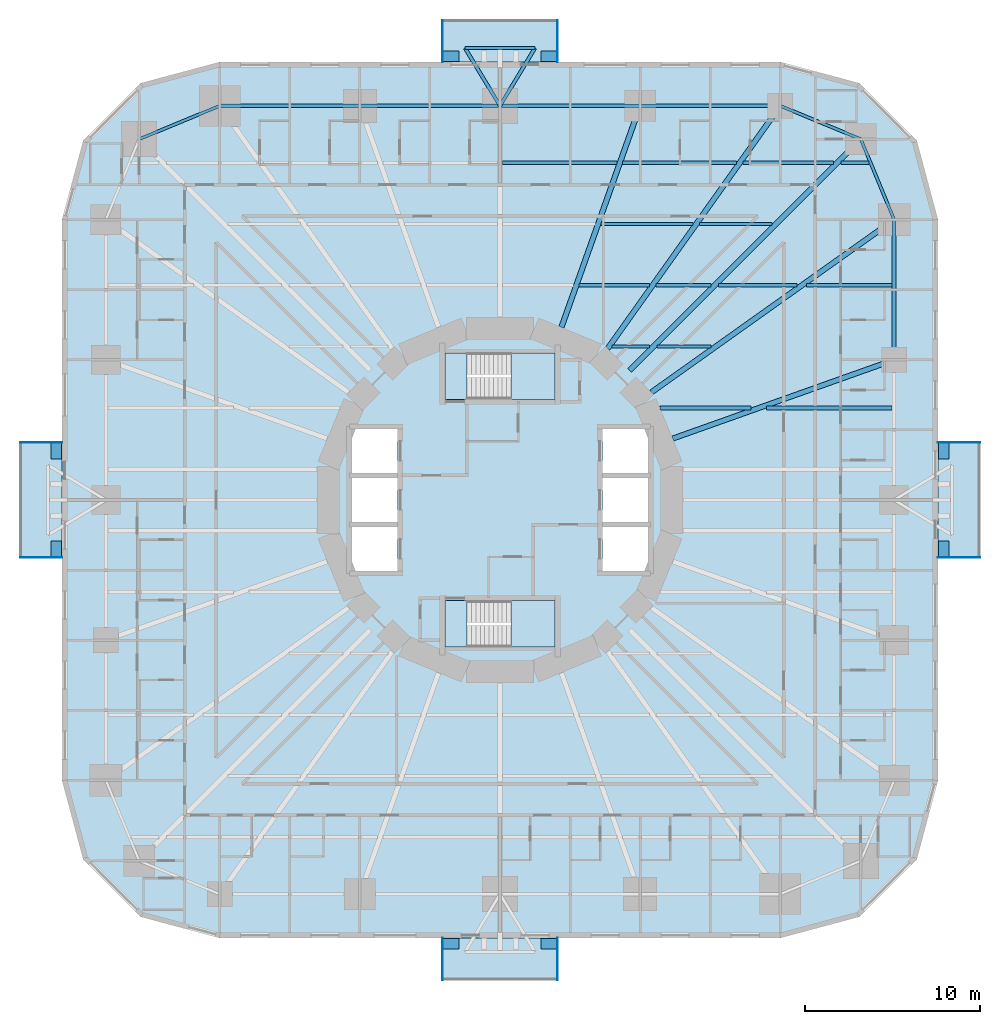
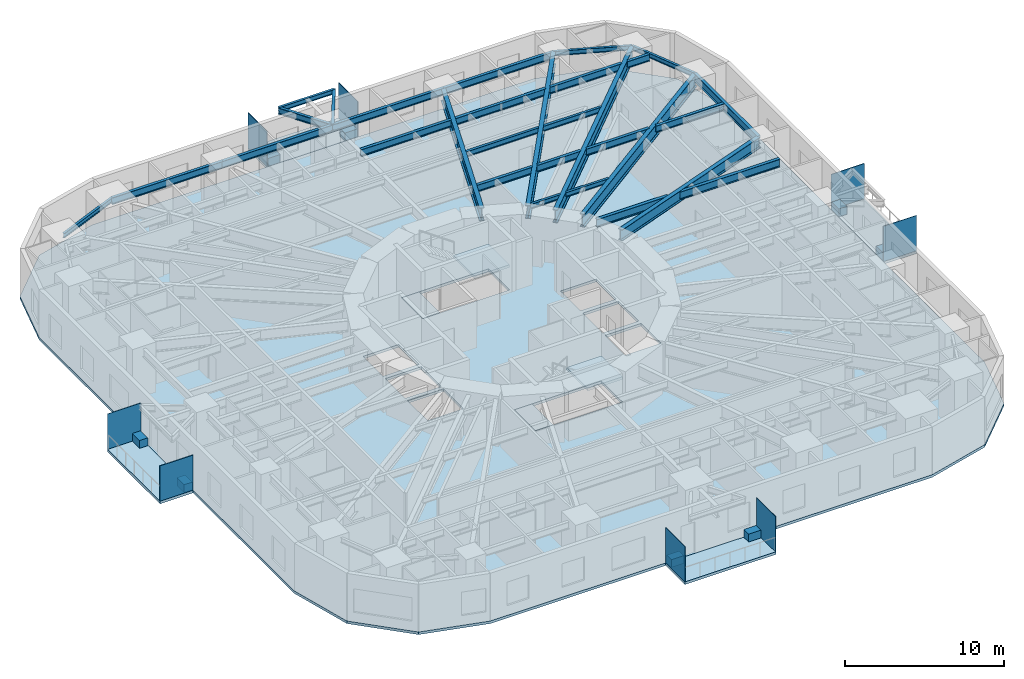
# One storey, part 3 of 14: 30 beams, 16 plates, 9 slabs, 2 elements without a shape of their own.
"""IFC4 building model written with IfcOpenShell, lengths in metres."""

from ifc_helpers import new_model, si_unit, direction, frame, origin, origin_2d, place, context, subcontext, project, spatial, polyline, rectangle, i_section, outline, extrude, material, layer, layer_set, material_profile, profile_set, type_object, element, aggregate, save


model = new_model("IFC4")

# Units and contexts
model_context = context("Model", 3, precision=1e-05, world=origin(), true_north=direction((0.0, 1.0)))
body_context = subcontext(model_context, "Body", "Model", "MODEL_VIEW")
ifc_project = project(units=[si_unit("LENGTHUNIT", "METRE"), si_unit("AREAUNIT", "SQUARE_METRE"), si_unit("VOLUMEUNIT", "CUBIC_METRE"), si_unit("PLANEANGLEUNIT", "RADIAN"), si_unit("MASSUNIT", "GRAM", prefix="KILO")], contexts=[model_context])

# Site, building, storey
site_placement = place(None, origin())
site = spatial("IfcSite", under=ifc_project, at=site_placement, CompositionType="ELEMENT")
building_placement = place(site_placement, origin())
building = spatial("IfcBuilding", under=site, at=building_placement, Name="Nakasero Lantern House", CompositionType="ELEMENT")
storey_placement = place(building_placement, frame((0.0, 0.0, 42.949951171875)))
storey = spatial("IfcBuildingStorey", under=building, at=storey_placement, Name="L10", CompositionType="ELEMENT", Elevation=42.949951171875)

# Beams
ifc_material_1 = material(Name="Steel S355", Category="steel")
ifc_material_profile_1 = material_profile(ifc_material_1, i_section(OverallWidth=0.199462890625, OverallDepth=0.491943359375, WebThickness=0.01806640625, FlangeThickness=0.031982421875, FilletRadius=0.01025390625, at=origin_2d()), Name="UB 457x191x161")
ifc_profile_set_1 = profile_set([ifc_material_profile_1], Name="Steel S355")
beam_type_1 = type_object("IfcBeamType", Name="Balcony splay beam UB 457x191x161", PredefinedType="BEAM", material=ifc_profile_set_1)
for number, where, z_axis, x_axis, name in (
    (1, (0.0, 22.5, 3.404052734375), (-0.518296107317, 0.855201230787, 0.0), (-0.855201230787, -0.518296107317, 0.0), "Balcony splay beam L11 B1-C09A"),
    (2, (0.0, 22.5, 3.404052734375), (0.518296107317, 0.855201230787, 0.0), (-0.855201230787, 0.518296107317, 0.0), "Balcony splay beam L11 B1-C09B"),
):
    element("IfcBeam", number, at=place(storey_placement, frame(where, z_axis=z_axis, x_axis=x_axis)), inside=storey, type_object=beam_type_1, Name=name, PredefinedType="BEAM", context=body_context, shape_type="SweptSolid", body=[
        extrude(i_section(OverallWidth=0.199462890625, OverallDepth=0.491943359375, WebThickness=0.01806640625, FlangeThickness=0.031982421875, FilletRadius=0.01025390625, at=origin_2d()), origin(), (0.0, 0.0, 1.0), 3.85888671875),
    ])
ifc_material_2 = material(Name="Steel S355", Category="steel")
ifc_material_profile_2 = material_profile(ifc_material_2, i_section(OverallWidth=0.17138671875, OverallDepth=0.35498046875, WebThickness=0.00732421875, FlangeThickness=0.011474609375, FilletRadius=0.01025390625, at=origin_2d()), Name="UB 356x171x51")
ifc_profile_set_2 = profile_set([ifc_material_profile_2], Name="Steel S355")
beam_type_2 = type_object("IfcBeamType", Name="Balcony tie beam UB 356x171x51", PredefinedType="BEAM", material=ifc_profile_set_2)
beam_1_placement = place(storey_placement, frame((-2.0, 25.800048828125, 3.47265625), z_axis=(1.0, 0.0, 0.0), x_axis=(0.0, 1.0, 0.0)))
element("IfcBeam", 3, at=beam_1_placement, inside=storey, type_object=beam_type_2, Name="Balcony tie beam L11 B1-C09", PredefinedType="BEAM", context=body_context, shape_type="SweptSolid", body=[
    extrude(i_section(OverallWidth=0.17138671875, OverallDepth=0.35498046875, WebThickness=0.00732421875, FlangeThickness=0.011474609375, FilletRadius=0.01025390625, at=origin_2d()), origin(), (0.0, 0.0, 1.0), 4.0),
])
ifc_material_3 = material(Name="Steel S355", Category="steel")
ifc_material_profile_3 = material_profile(ifc_material_3, i_section(OverallWidth=0.17138671875, OverallDepth=0.35498046875, WebThickness=0.00732421875, FlangeThickness=0.011474609375, FilletRadius=0.01025390625, at=origin_2d()), Name="UB 356x171x51")
ifc_profile_set_3 = profile_set([ifc_material_profile_3], Name="Steel S355")
beam_type_3 = type_object("IfcBeamType", Name="Infill beam UB 356x171x51", PredefinedType="JOIST", material=ifc_profile_set_3)
beam_2_placement = place(storey_placement, frame((6.40625, 8.75, 3.47265625), z_axis=(1.0, 0.0, 0.0), x_axis=(0.0, 1.0, 0.0)))
element("IfcBeam", 4, at=beam_2_placement, inside=storey, type_object=beam_type_3, Name="Infill beam L11 10.3", PredefinedType="JOIST", context=body_context, shape_type="SweptSolid", body=[
    extrude(i_section(OverallWidth=0.17138671875, OverallDepth=0.35498046875, WebThickness=0.00732421875, FlangeThickness=0.011474609375, FilletRadius=0.01025390625, at=origin_2d()), origin(), (0.0, 0.0, 1.0), 2.131591796875),
])
beam_3_placement = place(storey_placement, frame((8.962158203125, 8.75, 3.47265625), z_axis=(1.0, 0.0, 0.0), x_axis=(0.0, 1.0, 0.0)))
element("IfcBeam", 5, at=beam_3_placement, inside=storey, type_object=beam_type_3, Name="Infill beam L11 10.4", PredefinedType="JOIST", context=body_context, shape_type="SweptSolid", body=[
    extrude(i_section(OverallWidth=0.17138671875, OverallDepth=0.35498046875, WebThickness=0.00732421875, FlangeThickness=0.011474609375, FilletRadius=0.01025390625, at=origin_2d()), origin(), (0.0, 0.0, 1.0), 3.083740234375),
])
ifc_material_4 = material(Name="Steel S355", Category="steel")
ifc_material_profile_4 = material_profile(ifc_material_4, i_section(OverallWidth=0.177978515625, OverallDepth=0.406494140625, WebThickness=0.0078125, FlangeThickness=0.0126953125, FilletRadius=0.01025390625, at=origin_2d()), Name="UB 406x178x60")
ifc_profile_set_4 = profile_set([ifc_material_profile_4], Name="Steel S355")
beam_type_4 = type_object("IfcBeamType", Name="Infill beam UB 406x178x60", PredefinedType="JOIST", material=ifc_profile_set_4)
beam_4_placement = place(storey_placement, frame((5.75927734375, 15.75, 3.44677734375), z_axis=(1.0, 0.0, 0.0), x_axis=(0.0, 1.0, 0.0)))
element("IfcBeam", 6, at=beam_4_placement, inside=storey, type_object=beam_type_4, Name="Infill beam L11 12.5", PredefinedType="JOIST", context=body_context, shape_type="SweptSolid", body=[
    extrude(i_section(OverallWidth=0.177978515625, OverallDepth=0.406494140625, WebThickness=0.0078125, FlangeThickness=0.0126953125, FilletRadius=0.01025390625, at=origin_2d()), origin(), (0.0, 0.0, 1.0), 5.256591796875),
])
beam_5_placement = place(storey_placement, frame((11.384033203125, 15.75, 3.44677734375), z_axis=(1.0, 0.0, 0.0), x_axis=(0.0, 1.0, 0.0)))
element("IfcBeam", 7, at=beam_5_placement, inside=storey, type_object=beam_type_4, Name="Infill beam L11 12.6", PredefinedType="JOIST", context=body_context, shape_type="SweptSolid", body=[
    extrude(i_section(OverallWidth=0.177978515625, OverallDepth=0.406494140625, WebThickness=0.0078125, FlangeThickness=0.0126953125, FilletRadius=0.01025390625, at=origin_2d()), origin(), (0.0, 0.0, 1.0), 4.15380859375),
])
ifc_material_5 = material(Name="Steel S355", Category="steel")
ifc_material_profile_5 = material_profile(ifc_material_5, i_section(OverallWidth=0.208740234375, OverallDepth=0.5283203125, WebThickness=0.009521484375, FlangeThickness=0.01318359375, FilletRadius=0.0126953125, at=origin_2d()), Name="UB 533x210x82")
ifc_profile_set_5 = profile_set([ifc_material_profile_5], Name="Steel S355")
beam_type_5 = type_object("IfcBeamType", Name="Infill beam UB 533x210x82", PredefinedType="JOIST", material=ifc_profile_set_5)
beam_6_placement = place(storey_placement, frame((4.5146484375, 12.25, 3.385986328125), z_axis=(1.0, 0.0, 0.0), x_axis=(0.0, 1.0, 0.0)))
element("IfcBeam", 8, at=beam_6_placement, inside=storey, type_object=beam_type_5, Name="Infill beam L11 11.7", PredefinedType="JOIST", context=body_context, shape_type="SweptSolid", body=[
    extrude(i_section(OverallWidth=0.208740234375, OverallDepth=0.5283203125, WebThickness=0.009521484375, FlangeThickness=0.01318359375, FilletRadius=0.0126953125, at=origin_2d()), origin(), (0.0, 0.0, 1.0), 4.012451171875),
])
beam_7_placement = place(storey_placement, frame((8.895263671875, 12.25, 3.385986328125), z_axis=(1.0, 0.0, 0.0), x_axis=(0.0, 1.0, 0.0)))
element("IfcBeam", 9, at=beam_7_placement, inside=storey, type_object=beam_type_5, Name="Infill beam L11 11.8", PredefinedType="JOIST", context=body_context, shape_type="SweptSolid", body=[
    extrude(i_section(OverallWidth=0.208740234375, OverallDepth=0.5283203125, WebThickness=0.009521484375, FlangeThickness=0.01318359375, FilletRadius=0.0126953125, at=origin_2d()), origin(), (0.0, 0.0, 1.0), 3.142578125),
])
beam_8_placement = place(storey_placement, frame((12.462158203125, 12.25, 3.385986328125), z_axis=(1.0, 0.0, 0.0), x_axis=(0.0, 1.0, 0.0)))
element("IfcBeam", 10, at=beam_8_placement, inside=storey, type_object=beam_type_5, Name="Infill beam L11 11.9", PredefinedType="JOIST", context=body_context, shape_type="SweptSolid", body=[
    extrude(i_section(OverallWidth=0.208740234375, OverallDepth=0.5283203125, WebThickness=0.009521484375, FlangeThickness=0.01318359375, FilletRadius=0.0126953125, at=origin_2d()), origin(), (0.0, 0.0, 1.0), 4.505615234375),
])
beam_9_placement = place(storey_placement, frame((17.4853515625, 12.25, 3.385986328125), z_axis=(1.0, 0.0, 0.0), x_axis=(0.0, 1.0, 0.0)))
element("IfcBeam", 11, at=beam_9_placement, inside=storey, type_object=beam_type_5, Name="Infill beam L11 11.10", PredefinedType="JOIST", context=body_context, shape_type="SweptSolid", body=[
    extrude(i_section(OverallWidth=0.208740234375, OverallDepth=0.5283203125, WebThickness=0.009521484375, FlangeThickness=0.01318359375, FilletRadius=0.0126953125, at=origin_2d()), origin(), (0.0, 0.0, 1.0), 4.900146484375),
])
beam_10_placement = place(storey_placement, frame((0.146240234375, 19.25, 3.385986328125), z_axis=(1.0, 0.0, 0.0), x_axis=(0.0, 1.0, 0.0)))
element("IfcBeam", 12, at=beam_10_placement, inside=storey, type_object=beam_type_5, Name="Infill beam L11 13.5", PredefinedType="JOIST", context=body_context, shape_type="SweptSolid", body=[
    extrude(i_section(OverallWidth=0.208740234375, OverallDepth=0.5283203125, WebThickness=0.009521484375, FlangeThickness=0.01318359375, FilletRadius=0.0126953125, at=origin_2d()), origin(), (0.0, 0.0, 1.0), 6.5390625),
])
beam_11_placement = place(storey_placement, frame((7.003662109375, 19.25, 3.385986328125), z_axis=(1.0, 0.0, 0.0), x_axis=(0.0, 1.0, 0.0)))
element("IfcBeam", 13, at=beam_11_placement, inside=storey, type_object=beam_type_5, Name="Infill beam L11 13.6", PredefinedType="JOIST", context=body_context, shape_type="SweptSolid", body=[
    extrude(i_section(OverallWidth=0.208740234375, OverallDepth=0.5283203125, WebThickness=0.009521484375, FlangeThickness=0.01318359375, FilletRadius=0.0126953125, at=origin_2d()), origin(), (0.0, 0.0, 1.0), 6.501220703125),
])
beam_12_placement = place(storey_placement, frame((13.873046875, 19.25, 3.385986328125), z_axis=(1.0, 0.0, 0.0), x_axis=(0.0, 1.0, 0.0)))
element("IfcBeam", 14, at=beam_12_placement, inside=storey, type_object=beam_type_5, Name="Infill beam L11 13.7", PredefinedType="JOIST", context=body_context, shape_type="SweptSolid", body=[
    extrude(i_section(OverallWidth=0.208740234375, OverallDepth=0.5283203125, WebThickness=0.009521484375, FlangeThickness=0.01318359375, FilletRadius=0.0126953125, at=origin_2d()), origin(), (0.0, 0.0, 1.0), 5.164794921875),
])
beam_13_placement = place(storey_placement, frame((19.462158203125, 19.25, 3.385986328125), z_axis=(1.0, 0.0, 0.0), x_axis=(0.0, 1.0, 0.0)))
element("IfcBeam", 15, at=beam_13_placement, inside=storey, type_object=beam_type_5, Name="Infill beam L11 13.8", PredefinedType="JOIST", context=body_context, shape_type="SweptSolid", body=[
    extrude(i_section(OverallWidth=0.208740234375, OverallDepth=0.5283203125, WebThickness=0.009521484375, FlangeThickness=0.01318359375, FilletRadius=0.0126953125, at=origin_2d()), origin(), (0.0, 0.0, 1.0), 1.598876953125),
])
ifc_material_6 = material(Name="Steel S355", Category="steel")
ifc_material_profile_6 = material_profile(ifc_material_6, i_section(OverallWidth=0.2275390625, OverallDepth=0.6025390625, WebThickness=0.010498046875, FlangeThickness=0.014892578125, FilletRadius=0.0126953125, at=origin_2d()), Name="UB 610x229x101")
ifc_profile_set_6 = profile_set([ifc_material_profile_6], Name="Steel S355")
beam_type_6 = type_object("IfcBeamType", Name="Infill beam UB 610x229x101", PredefinedType="JOIST", material=ifc_profile_set_6)
beam_14_placement = place(storey_placement, frame((9.144775390625, 5.25, 3.3486328125), z_axis=(1.0, 0.0, 0.0), x_axis=(0.0, 1.0, 0.0)))
element("IfcBeam", 16, at=beam_14_placement, inside=storey, type_object=beam_type_6, Name="Infill beam L11 09.3", PredefinedType="JOIST", context=body_context, shape_type="SweptSolid", body=[
    extrude(i_section(OverallWidth=0.2275390625, OverallDepth=0.6025390625, WebThickness=0.010498046875, FlangeThickness=0.014892578125, FilletRadius=0.0126953125, at=origin_2d()), origin(), (0.0, 0.0, 1.0), 5.184326171875),
])
beam_15_placement = place(storey_placement, frame((15.2021484375, 5.25, 3.3486328125), z_axis=(1.0, 0.0, 0.0), x_axis=(0.0, 1.0, 0.0)))
element("IfcBeam", 17, at=beam_15_placement, inside=storey, type_object=beam_type_6, Name="Infill beam L11 09.4", PredefinedType="JOIST", context=body_context, shape_type="SweptSolid", body=[
    extrude(i_section(OverallWidth=0.2275390625, OverallDepth=0.6025390625, WebThickness=0.010498046875, FlangeThickness=0.014892578125, FilletRadius=0.0126953125, at=origin_2d()), origin(), (0.0, 0.0, 1.0), 7.183349609375),
])
ifc_material_7 = material(Name="Steel S355", Category="steel")
ifc_material_profile_7 = material_profile(ifc_material_7, i_section(OverallWidth=0.300048828125, OverallDepth=0.97021484375, WebThickness=0.01611328125, FlangeThickness=0.02099609375, FilletRadius=0.030029296875, at=origin_2d()), Name="UB 1016x305x222")
ifc_profile_set_7 = profile_set([ifc_material_profile_7], Name="Steel S355")
beam_type_7 = type_object("IfcBeamType", Name="Primary beam UB 1016x305x222, span 12 to 15 m", PredefinedType="BEAM", material=ifc_profile_set_7)
beam_16_placement = place(storey_placement, frame((8.0, 22.5, 3.164794921875), z_axis=(-0.335010745293, -0.942214307118, 0.0), x_axis=(0.942214307118, -0.335010745293, 0.0)))
element("IfcBeam", 18, at=beam_16_placement, inside=storey, type_object=beam_type_7, Name="Primary beam L11 B1-C08", PredefinedType="BEAM", context=body_context, shape_type="SweptSolid", body=[
    extrude(i_section(OverallWidth=0.300048828125, OverallDepth=0.97021484375, WebThickness=0.01611328125, FlangeThickness=0.02099609375, FilletRadius=0.030029296875, at=origin_2d()), origin(), (0.0, 0.0, 1.0), 13.408447265625),
])
ifc_material_8 = material(Name="Steel S355", Category="steel")
ifc_material_profile_8 = material_profile(ifc_material_8, i_section(OverallWidth=0.300048828125, OverallDepth=0.989990234375, WebThickness=0.0166015625, FlangeThickness=0.031005859375, FilletRadius=0.030029296875, at=origin_2d()), Name="UB 1016x305x272")
ifc_profile_set_8 = profile_set([ifc_material_profile_8], Name="Steel S355")
beam_type_8 = type_object("IfcBeamType", Name="Primary beam UB 1016x305x272, span over 15 m", PredefinedType="BEAM", material=ifc_profile_set_8)
beam_17_placement = place(storey_placement, frame((22.5, 16.0, 3.155029296875), z_axis=(-0.814952159915, -0.579528236629, 0.0), x_axis=(0.579528236629, -0.814952159915, 0.0)))
element("IfcBeam", 19, at=beam_17_placement, inside=storey, type_object=beam_type_8, Name="Primary beam L11 B1-C05", PredefinedType="BEAM", context=body_context, shape_type="SweptSolid", body=[
    extrude(i_section(OverallWidth=0.300048828125, OverallDepth=0.989990234375, WebThickness=0.0166015625, FlangeThickness=0.031005859375, FilletRadius=0.030029296875, at=origin_2d()), origin(), (0.0, 0.0, 1.0), 17.003173828125),
])
beam_18_placement = place(storey_placement, frame((20.59619140625, 20.59619140625, 3.155029296875), z_axis=(-0.707106781187, -0.707106781187, 0.0), x_axis=(0.707106781187, -0.707106781187, 0.0)))
element("IfcBeam", 20, at=beam_18_placement, inside=storey, type_object=beam_type_8, Name="Primary beam L11 B1-C06", PredefinedType="BEAM", context=body_context, shape_type="SweptSolid", body=[
    extrude(i_section(OverallWidth=0.300048828125, OverallDepth=0.989990234375, WebThickness=0.0166015625, FlangeThickness=0.031005859375, FilletRadius=0.030029296875, at=origin_2d()), origin(), (0.0, 0.0, 1.0), 18.669677734375),
])
ifc_material_9 = material(Name="Steel S355", Category="steel")
ifc_material_profile_9 = material_profile(ifc_material_9, i_section(OverallWidth=0.300048828125, OverallDepth=1.0, WebThickness=0.01904296875, FlangeThickness=0.035888671875, FilletRadius=0.030029296875, at=origin_2d()), Name="UB 1016x305x314")
ifc_profile_set_9 = profile_set([ifc_material_profile_9], Name="Steel S355")
beam_type_9 = type_object("IfcBeamType", Name="Primary beam UB 1016x305x314, span over 15 m", PredefinedType="BEAM", material=ifc_profile_set_9)
beam_19_placement = place(storey_placement, frame((16.0, 22.5, 3.150146484375), z_axis=(-0.579528236629, -0.814952159915, 0.0), x_axis=(0.814952159915, -0.579528236629, 0.0)))
element("IfcBeam", 21, at=beam_19_placement, inside=storey, type_object=beam_type_9, Name="Primary beam L11 B1-C07", PredefinedType="BEAM", context=body_context, shape_type="SweptSolid", body=[
    extrude(i_section(OverallWidth=0.300048828125, OverallDepth=1.0, WebThickness=0.01904296875, FlangeThickness=0.035888671875, FilletRadius=0.030029296875, at=origin_2d()), origin(), (0.0, 0.0, 1.0), 17.003173828125),
])
ifc_material_10 = material(Name="Steel S355", Category="steel")
ifc_material_profile_10 = material_profile(ifc_material_10, i_section(OverallWidth=0.29248046875, OverallDepth=0.8408203125, WebThickness=0.0146484375, FlangeThickness=0.02685546875, FilletRadius=0.017822265625, at=origin_2d()), Name="UB 838x292x194")
ifc_profile_set_10 = profile_set([ifc_material_profile_10], Name="Steel S355")
beam_type_10 = type_object("IfcBeamType", Name="Primary beam UB 838x292x194, span 12 to 15 m", PredefinedType="BEAM", material=ifc_profile_set_10)
beam_20_placement = place(storey_placement, frame((22.5, 8.0, 3.229736328125), z_axis=(-0.942214307118, -0.335010745293, 0.0), x_axis=(0.335010745293, -0.942214307118, 0.0)))
element("IfcBeam", 22, at=beam_20_placement, inside=storey, type_object=beam_type_10, Name="Primary beam L11 B1-C04", PredefinedType="BEAM", context=body_context, shape_type="SweptSolid", body=[
    extrude(i_section(OverallWidth=0.29248046875, OverallDepth=0.8408203125, WebThickness=0.0146484375, FlangeThickness=0.02685546875, FilletRadius=0.017822265625, at=origin_2d()), origin(), (0.0, 0.0, 1.0), 13.408447265625),
])
ifc_material_11 = material(Name="Steel S355", Category="steel")
ifc_material_profile_11 = material_profile(ifc_material_11, i_section(OverallWidth=0.17138671875, OverallDepth=0.35498046875, WebThickness=0.00732421875, FlangeThickness=0.011474609375, FilletRadius=0.01025390625, at=origin_2d()), Name="UB 356x171x51")
ifc_profile_set_11 = profile_set([ifc_material_profile_11], Name="Steel S355")
beam_type_11 = type_object("IfcBeamType", Name="Ring beam UB 356x171x51", PredefinedType="BEAM", material=ifc_profile_set_11)
for number, where, z_axis, x_axis, name in (
    (23, (22.5, 16.0, 3.47265625), (-0.382684080569, 0.923879264016, 0.0), (-0.923879264016, -0.382684080569, 0.0), "Ring beam L11 B1-C05"),
    (24, (20.59619140625, 20.59619140625, 3.47265625), (-0.923879264016, 0.382684080569, 0.0), (-0.382684080569, -0.923879264016, 0.0), "Ring beam L11 B1-C06"),
    (25, (-16.0, 22.5, 3.47265625), (-0.923879264016, -0.382684080569, 0.0), (0.382684080569, -0.923879264016, 0.0), "Ring beam L11 B1-C11"),
):
    element("IfcBeam", number, at=place(storey_placement, frame(where, z_axis=z_axis, x_axis=x_axis)), inside=storey, type_object=beam_type_11, Name=name, PredefinedType="BEAM", context=body_context, shape_type="SweptSolid", body=[
        extrude(i_section(OverallWidth=0.17138671875, OverallDepth=0.35498046875, WebThickness=0.00732421875, FlangeThickness=0.011474609375, FilletRadius=0.01025390625, at=origin_2d()), origin(), (0.0, 0.0, 1.0), 4.974853515625),
    ])
ifc_material_12 = material(Name="Steel S355", Category="steel")
ifc_material_profile_12 = material_profile(ifc_material_12, i_section(OverallWidth=0.2099609375, OverallDepth=0.53662109375, WebThickness=0.0107421875, FlangeThickness=0.017333984375, FilletRadius=0.0126953125, at=origin_2d()), Name="UB 533x210x101")
ifc_profile_set_12 = profile_set([ifc_material_profile_12], Name="Steel S355")
beam_type_12 = type_object("IfcBeamType", Name="Ring beam UB 533x210x101", PredefinedType="BEAM", material=ifc_profile_set_12)
for number, where, z_axis, x_axis, name in (
    (26, (16.0, 22.5, 3.381591796875), (-1.0, 0.0, 0.0), (0.0, -1.0, 0.0), "Ring beam L11 B1-C07"),
    (27, (8.0, 22.5, 3.381591796875), (-1.0, 0.0, 0.0), (0.0, -1.0, 0.0), "Ring beam L11 B1-C08"),
    (28, (0.0, 22.5, 3.381591796875), (-1.0, 0.0, 0.0), (0.0, -1.0, 0.0), "Ring beam L11 B1-C09"),
    (29, (-8.0, 22.5, 3.381591796875), (-1.0, 0.0, 0.0), (0.0, -1.0, 0.0), "Ring beam L11 B1-C10"),
):
    element("IfcBeam", number, at=place(storey_placement, frame(where, z_axis=z_axis, x_axis=x_axis)), inside=storey, type_object=beam_type_12, Name=name, PredefinedType="BEAM", context=body_context, shape_type="SweptSolid", body=[
        extrude(i_section(OverallWidth=0.2099609375, OverallDepth=0.53662109375, WebThickness=0.0107421875, FlangeThickness=0.017333984375, FilletRadius=0.0126953125, at=origin_2d()), origin(), (0.0, 0.0, 1.0), 8.0),
    ])
ifc_material_13 = material(Name="Steel S355", Category="steel")
ifc_material_profile_13 = material_profile(ifc_material_13, i_section(OverallWidth=0.22900390625, OverallDepth=0.6123046875, WebThickness=0.011962890625, FlangeThickness=0.01953125, FilletRadius=0.0126953125, at=origin_2d()), Name="UB 610x229x125")
ifc_profile_set_13 = profile_set([ifc_material_profile_13], Name="Steel S355")
beam_type_13 = type_object("IfcBeamType", Name="Ring beam UB 610x229x125", PredefinedType="BEAM", material=ifc_profile_set_13)
beam_21_placement = place(storey_placement, frame((22.5, 8.0, 3.343994140625), z_axis=(0.0, 1.0, 0.0), x_axis=(-1.0, 0.0, 0.0)))
element("IfcBeam", 30, at=beam_21_placement, inside=storey, type_object=beam_type_13, Name="Ring beam L11 B1-C04", PredefinedType="BEAM", context=body_context, shape_type="SweptSolid", body=[
    extrude(i_section(OverallWidth=0.22900390625, OverallDepth=0.6123046875, WebThickness=0.011962890625, FlangeThickness=0.01953125, FilletRadius=0.0126953125, at=origin_2d()), origin(), (0.0, 0.0, 1.0), 8.0),
])

# Plates
ifc_material_14 = material(Name="Aluminium 6063-T6", Category="aluminium")
ifc_layer_1 = layer(ifc_material_14, 0.60009765625)
ifc_layer_set_1 = layer_set([ifc_layer_1], Name="Balcony planter 600x900")
plate_type_1 = type_object("IfcPlateType", Name="Balcony planter 600x900", PredefinedType="USERDEFINED", material=ifc_layer_set_1)
for number, where, z_axis, x_axis, name in (
    (31, (25.320068359375, -2.7900390625, 0.0), (0.0, 0.0, 1.0), (1.0, 0.0, 0.0), "Balcony PLANTER L10 BAL0A"),
    (32, (25.320068359375, 2.7900390625, 0.0), (0.0, 0.0, 1.0), (1.0, 0.0, 0.0), "Balcony PLANTER L10 BAL0B"),
    (33, (2.7900390625, 25.320068359375, 0.0), (0.0, 0.0, 1.0), (0.0, 1.0, 0.0), "Balcony PLANTER L10 BAL1A"),
    (34, (-2.7900390625, 25.320068359375, 0.0), (0.0, 0.0, 1.0), (0.0, 1.0, 0.0), "Balcony PLANTER L10 BAL1B"),
    (35, (-25.320068359375, 2.7900390625, 0.0), (0.0, 0.0, 1.0), (-1.0, 0.0, 0.0), "Balcony PLANTER L10 BAL2A"),
    (36, (-25.320068359375, -2.7900390625, 0.0), (0.0, 0.0, 1.0), (-1.0, 0.0, 0.0), "Balcony PLANTER L10 BAL2B"),
    (37, (-2.7900390625, -25.320068359375, 0.0), (0.0, 0.0, 1.0), (0.0, -1.0, 0.0), "Balcony PLANTER L10 BAL3A"),
    (38, (2.7900390625, -25.320068359375, 0.0), (0.0, 0.0, 1.0), (0.0, -1.0, 0.0), "Balcony PLANTER L10 BAL3B"),
):
    element("IfcPlate", number, at=place(storey_placement, frame(where, z_axis=z_axis, x_axis=x_axis)), inside=storey, type_object=plate_type_1, Name=name, ObjectType="PLANTER", PredefinedType="USERDEFINED", context=body_context, shape_type="SweptSolid", body=[
        extrude(rectangle(XDim=0.60009765625, YDim=0.89990234375, at=origin_2d()), origin(), (0.0, 0.0, 1.0), 0.60009765625),
    ])
ifc_material_15 = material(Name="Aluminium 6063-T6", Category="aluminium")
ifc_layer_2 = layer(ifc_material_15, 0.0400390625)
ifc_layer_set_2 = layer_set([ifc_layer_2], Name="Balcony screen 2400x2700")
plate_type_2 = type_object("IfcPlateType", Name="Balcony screen 2400x2700", PredefinedType="SHEET", material=ifc_layer_set_2)
for number, where, z_axis, x_axis, name in (
    (39, (26.199951171875, -3.280029296875, 0.0), (0.0, 0.0, 1.0), (1.0, 0.0, 0.0), "Balcony SCREEN L10 BAL0A"),
    (40, (26.199951171875, 3.280029296875, 0.0), (0.0, 0.0, 1.0), (1.0, 0.0, 0.0), "Balcony SCREEN L10 BAL0B"),
    (41, (3.280029296875, 26.199951171875, 0.0), (0.0, 0.0, 1.0), (0.0, 1.0, 0.0), "Balcony SCREEN L10 BAL1A"),
    (42, (-3.280029296875, 26.199951171875, 0.0), (0.0, 0.0, 1.0), (0.0, 1.0, 0.0), "Balcony SCREEN L10 BAL1B"),
    (43, (-26.199951171875, 3.280029296875, 0.0), (0.0, 0.0, 1.0), (-1.0, 0.0, 0.0), "Balcony SCREEN L10 BAL2A"),
    (44, (-26.199951171875, -3.280029296875, 0.0), (0.0, 0.0, 1.0), (-1.0, 0.0, 0.0), "Balcony SCREEN L10 BAL2B"),
    (45, (-3.280029296875, -26.199951171875, 0.0), (0.0, 0.0, 1.0), (0.0, -1.0, 0.0), "Balcony SCREEN L10 BAL3A"),
    (46, (3.280029296875, -26.199951171875, 0.0), (0.0, 0.0, 1.0), (0.0, -1.0, 0.0), "Balcony SCREEN L10 BAL3B"),
):
    element("IfcPlate", number, at=place(storey_placement, frame(where, z_axis=z_axis, x_axis=x_axis)), inside=storey, type_object=plate_type_2, Name=name, PredefinedType="SHEET", context=body_context, shape_type="SweptSolid", body=[
        extrude(rectangle(XDim=2.39990234375, YDim=0.0400390625, at=origin_2d()), origin(), (0.0, 0.0, 1.0), 2.699951171875),
    ])

# Slabs
ifc_material_16 = material(Name="Concrete C35/45", Category="concrete")
ifc_layer_3 = layer(ifc_material_16, 0.199951171875)
ifc_layer_set_3 = layer_set([ifc_layer_3], Name="Balcony slab 200")
slab_type_1 = type_object("IfcSlabType", Name="Balcony slab 200", PredefinedType="USERDEFINED", material=ifc_layer_set_3)
slab_1_placement = place(storey_placement, frame((0.0, 0.0, -0.199951171875)))
element("IfcSlab", 47, at=slab_1_placement, inside=storey, type_object=slab_type_1, Name="Balcony L10 BAL0", ObjectType="BALCONY", PredefinedType="USERDEFINED", context=body_context, shape_type="SweptSolid", body=[
    extrude(outline(polyline([(25.0, -3.300048828125), (27.39990234375, -3.300048828125), (27.39990234375, 3.300048828125), (25.0, 3.300048828125), (25.0, -3.300048828125)])), origin(), (0.0, 0.0, 1.0), 0.199951171875),
])
slab_2_placement = place(storey_placement, frame((0.0, 0.0, -0.199951171875)))
element("IfcSlab", 48, at=slab_2_placement, inside=storey, type_object=slab_type_1, Name="Balcony L10 BAL1", ObjectType="BALCONY", PredefinedType="USERDEFINED", context=body_context, shape_type="SweptSolid", body=[
    extrude(outline(polyline([(3.300048828125, 25.0), (3.300048828125, 27.39990234375), (-3.300048828125, 27.39990234375), (-3.300048828125, 25.0), (3.300048828125, 25.0)])), origin(), (0.0, 0.0, 1.0), 0.199951171875),
])
slab_3_placement = place(storey_placement, frame((0.0, 0.0, -0.199951171875)))
element("IfcSlab", 49, at=slab_3_placement, inside=storey, type_object=slab_type_1, Name="Balcony L10 BAL2", ObjectType="BALCONY", PredefinedType="USERDEFINED", context=body_context, shape_type="SweptSolid", body=[
    extrude(outline(polyline([(-25.0, 3.300048828125), (-27.39990234375, 3.300048828125), (-27.39990234375, -3.300048828125), (-25.0, -3.300048828125), (-25.0, 3.300048828125)])), origin(), (0.0, 0.0, 1.0), 0.199951171875),
])
slab_4_placement = place(storey_placement, frame((0.0, 0.0, -0.199951171875)))
element("IfcSlab", 50, at=slab_4_placement, inside=storey, type_object=slab_type_1, Name="Balcony L10 BAL3", ObjectType="BALCONY", PredefinedType="USERDEFINED", context=body_context, shape_type="SweptSolid", body=[
    extrude(outline(polyline([(-3.300048828125, -25.0), (-3.300048828125, -27.39990234375), (3.300048828125, -27.39990234375), (3.300048828125, -25.0), (-3.300048828125, -25.0)])), origin(), (0.0, 0.0, 1.0), 0.199951171875),
])
ifc_material_17 = material(Name="Concrete C35/45", Category="concrete")
ifc_layer_4 = layer(ifc_material_17, 0.199951171875)
ifc_layer_set_4 = layer_set([ifc_layer_4], Name="Composite floor slab 200")
slab_type_2 = type_object("IfcSlabType", Name="Composite floor slab 200", PredefinedType="FLOOR", material=ifc_layer_set_4)
slab_5_placement = place(storey_placement, frame((0.0, 0.0, -0.199951171875)))
element("IfcSlab", 51, at=slab_5_placement, inside=storey, type_object=slab_type_2, Name="Floor slab L10", PredefinedType="FLOOR", context=body_context, shape_type="SweptSolid", body=[
    extrude(outline(polyline([(25.0, 16.0), (23.794189453125, 20.5), (20.5, 23.794189453125), (16.0, 25.0), (-16.0, 25.0), (-20.5, 23.794189453125), (-23.794189453125, 20.5), (-25.0, 16.0), (-25.0, -16.0), (-23.794189453125, -20.5), (-20.5, -23.794189453125), (-16.0, -25.0), (16.0, -25.0), (20.5, -23.794189453125), (23.794189453125, -20.5), (25.0, -16.0), (25.0, 16.0)]), holes=[polyline([(-8.449951171875, -4.050048828125), (-5.85009765625, -4.050048828125), (-5.85009765625, -1.550048828125), (-8.449951171875, -1.550048828125), (-8.449951171875, -4.050048828125)]), polyline([(-8.449951171875, -1.25), (-5.85009765625, -1.25), (-5.85009765625, 1.25), (-8.449951171875, 1.25), (-8.449951171875, -1.25)]), polyline([(-8.449951171875, 1.550048828125), (-5.85009765625, 1.550048828125), (-5.85009765625, 4.050048828125), (-8.449951171875, 4.050048828125), (-8.449951171875, 1.550048828125)]), polyline([(5.85009765625, -4.050048828125), (8.449951171875, -4.050048828125), (8.449951171875, -1.550048828125), (5.85009765625, -1.550048828125), (5.85009765625, -4.050048828125)]), polyline([(5.85009765625, -1.25), (8.449951171875, -1.25), (8.449951171875, 1.25), (5.85009765625, 1.25), (5.85009765625, -1.25)]), polyline([(5.85009765625, 1.550048828125), (8.449951171875, 1.550048828125), (8.449951171875, 4.050048828125), (5.85009765625, 4.050048828125), (5.85009765625, 1.550048828125)]), polyline([(-3.14990234375, 5.75), (3.14990234375, 5.75), (3.14990234375, 8.39990234375), (-3.14990234375, 8.39990234375), (-3.14990234375, 5.75)]), polyline([(-3.14990234375, -8.39990234375), (3.14990234375, -8.39990234375), (3.14990234375, -5.75), (-3.14990234375, -5.75), (-3.14990234375, -8.39990234375)])]), origin(), (0.0, 0.0, 1.0), 0.199951171875),
])

# Stair, slabs
ifc_material_18 = material(Name="Concrete C40/50", Category="concrete")
stair_type_1 = type_object("IfcStairType", Name="Escape stair ST1 22 risers", PredefinedType="HALF_TURN_STAIR", material=ifc_material_18)
stair_1_placement = place(storey_placement, origin())
stair_1 = element("IfcStair", 52, at=stair_1_placement, inside=storey, type_object=stair_type_1, Name="Escape stair ST1 L10", PredefinedType="HALF_TURN_STAIR")
ifc_material_19 = material(Name="Concrete C40/50", Category="concrete")
ifc_layer_5 = layer(ifc_material_19, 0.199951171875)
ifc_layer_set_5 = layer_set([ifc_layer_5], Name="Stair landing 200")
slab_type_3 = type_object("IfcSlabType", Name="Stair landing 200", PredefinedType="LANDING", material=ifc_layer_set_5)
slab_6_placement = place(storey_placement, frame((0.0, 0.0, -0.199951171875)))
slab_6 = element("IfcSlab", 53, at=slab_6_placement, type_object=slab_type_3, Name="ST1 landing 1", PredefinedType="LANDING", context=body_context, shape_type="SweptSolid", body=[
    extrude(outline(polyline([(-3.14990234375, 5.75), (-1.875, 5.75), (-1.875, 8.39990234375), (-3.14990234375, 8.39990234375), (-3.14990234375, 5.75)])), origin(), (0.0, 0.0, 1.0), 0.199951171875),
])
slab_7_placement = place(storey_placement, frame((0.0, 0.0, 1.72509765625)))
slab_7 = element("IfcSlab", 54, at=slab_7_placement, type_object=slab_type_3, Name="ST1 landing 2", PredefinedType="LANDING", context=body_context, shape_type="SweptSolid", body=[
    extrude(outline(polyline([(0.625, 5.75), (3.14990234375, 5.75), (3.14990234375, 8.39990234375), (0.625, 8.39990234375), (0.625, 5.75)])), origin(), (0.0, 0.0, 1.0), 0.199951171875),
])
aggregate(stair_1, [slab_6, slab_7])

ifc_material_20 = material(Name="Concrete C40/50", Category="concrete")
stair_type_2 = type_object("IfcStairType", Name="Escape stair ST2 22 risers", PredefinedType="HALF_TURN_STAIR", material=ifc_material_20)
stair_2_placement = place(storey_placement, origin())
stair_2 = element("IfcStair", 55, at=stair_2_placement, inside=storey, type_object=stair_type_2, Name="Escape stair ST2 L10", PredefinedType="HALF_TURN_STAIR")
slab_8_placement = place(storey_placement, frame((0.0, 0.0, -0.199951171875)))
slab_8 = element("IfcSlab", 56, at=slab_8_placement, type_object=slab_type_3, Name="ST2 landing 1", PredefinedType="LANDING", context=body_context, shape_type="SweptSolid", body=[
    extrude(outline(polyline([(-3.14990234375, -8.39990234375), (-1.875, -8.39990234375), (-1.875, -5.75), (-3.14990234375, -5.75), (-3.14990234375, -8.39990234375)])), origin(), (0.0, 0.0, 1.0), 0.199951171875),
])
slab_9_placement = place(storey_placement, frame((0.0, 0.0, 1.72509765625)))
slab_9 = element("IfcSlab", 57, at=slab_9_placement, type_object=slab_type_3, Name="ST2 landing 2", PredefinedType="LANDING", context=body_context, shape_type="SweptSolid", body=[
    extrude(outline(polyline([(0.625, -8.39990234375), (3.14990234375, -8.39990234375), (3.14990234375, -5.75), (0.625, -5.75), (0.625, -8.39990234375)])), origin(), (0.0, 0.0, 1.0), 0.199951171875),
])
aggregate(stair_2, [slab_8, slab_9])

save(model, "model.ifc")
